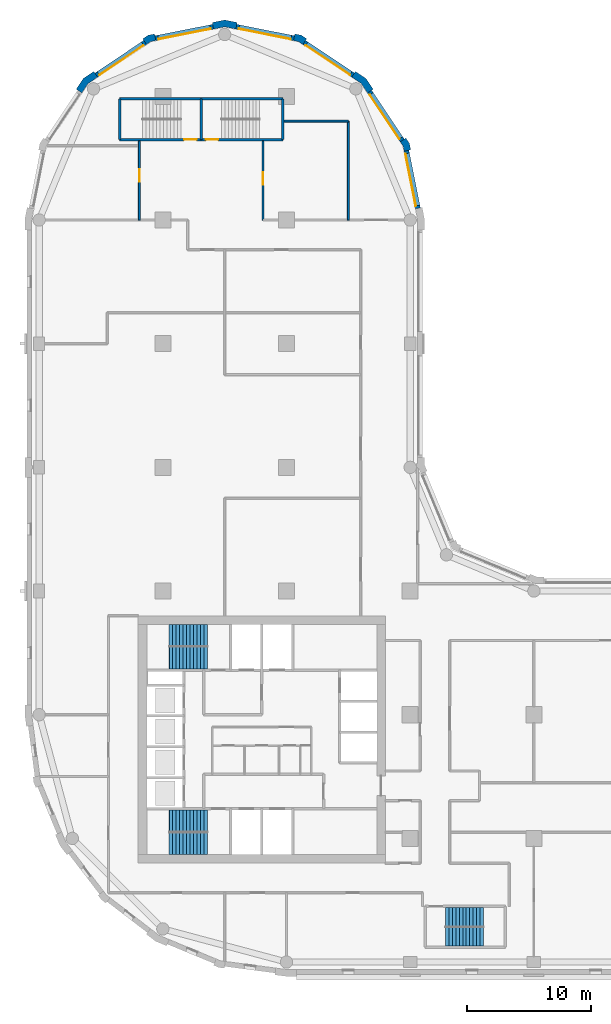
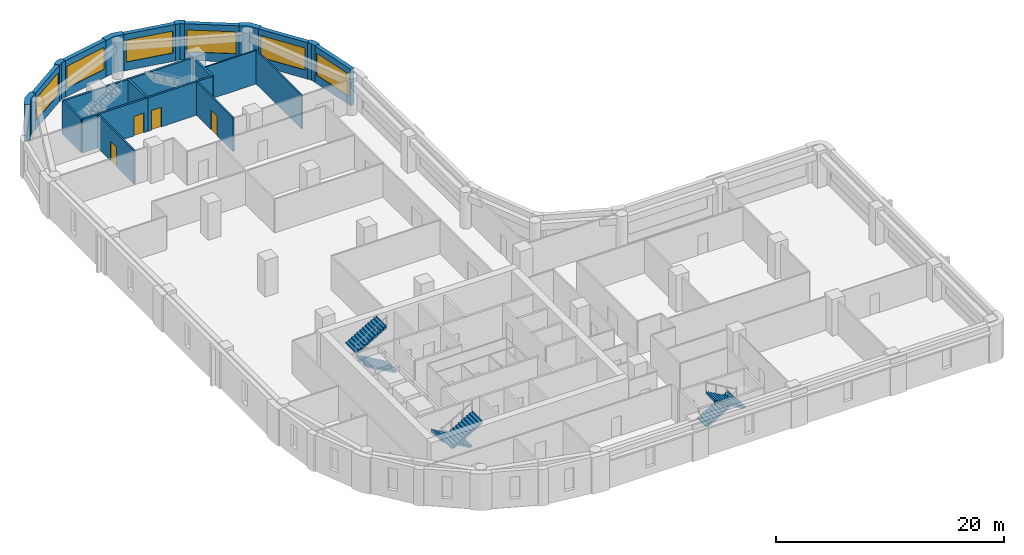
# One storey, part 6 of 9: 23 walls, 6 stair flights, 6 windows, 4 doors, 10 openings, 3 elements without a shape of their own.
"""IFC4 building model written with IfcOpenShell, lengths in metres."""

from ifc_helpers import new_model, si_unit, direction, frame, frame_2d, origin, place, context, subcontext, project, spatial, polyline, rectangle, outline, extrude, material, layer, layer_set, type_object, element, fill, aggregate, save


model = new_model("IFC4")

# Units and contexts
model_context = context("Model", 3, precision=1e-05, world=origin(), true_north=direction((0.0, 1.0)))
body_context = subcontext(model_context, "Body", "Model", "MODEL_VIEW")
ifc_project = project(units=[si_unit("LENGTHUNIT", "METRE"), si_unit("AREAUNIT", "SQUARE_METRE"), si_unit("VOLUMEUNIT", "CUBIC_METRE"), si_unit("PLANEANGLEUNIT", "RADIAN"), si_unit("MASSUNIT", "GRAM", prefix="KILO")], contexts=[model_context])

# Site, building, storey
site_placement = place(None, origin())
site = spatial("IfcSite", under=ifc_project, at=site_placement, CompositionType="ELEMENT")
building_placement = place(site_placement, origin())
building = spatial("IfcBuilding", under=site, at=building_placement, Name="Qaws Garden Tower", CompositionType="ELEMENT")
storey_placement = place(building_placement, frame((0.0, 0.0, 198.0)))
storey = spatial("IfcBuildingStorey", under=building, at=storey_placement, Name="L48", CompositionType="ELEMENT", Elevation=198.0)

# Wall, opening, window
ifc_material_1 = material(Name="Clay facing brick masonry", Category="masonry")
ifc_layer_1 = layer(ifc_material_1, 0.39990234375)
ifc_layer_set_1 = layer_set([ifc_layer_1], Name="Clay facing brick masonry")
wall_type_1 = type_object("IfcWallType", Name="Brick infill wall 400", PredefinedType="SOLIDWALL", material=ifc_layer_set_1)
wall_1_placement = place(storey_placement, frame((30.628662109375, 60.940673828125, 0.0), z_axis=(0.0, 0.0, 1.0), x_axis=(-0.195098533057, 0.98078364709, 0.0)))
wall_1 = element("IfcWall", 1, at=wall_1_placement, inside=storey, type_object=wall_type_1, Name="E-L48-infill-13", PredefinedType="SOLIDWALL", context=body_context, shape_type="SweptSolid", body=[
    extrude(rectangle(XDim=4.752685546875, YDim=0.39990234375, at=frame_2d((2.37646484375, 0.0))), origin(), (0.0, 0.0, 1.0), 3.89990234375),
])
opening_1_placement = place(wall_1_placement, frame((0.226318359375, 0.0, 0.89990234375)))
opening_1 = element("IfcOpeningElement", 2, at=opening_1_placement, cuts=wall_1, Name="Opening W06", PredefinedType="OPENING", context=body_context, shape_type="SweptSolid", body=[
    extrude(rectangle(XDim=4.300048828125, YDim=2.35009765625, at=frame_2d((2.14990234375, 1.175048828125))), frame((0.0, 0.2099609375, 0.0), z_axis=(0.0, -1.0, 0.0), x_axis=(1.0, 0.0, 0.0)), (0.0, 0.0, 1.0), 0.419921875),
])
ifc_material_2 = material(Name="Aluminium framed window, clear glazing", Category="aluminium")
window_type = type_object("IfcWindowType", Name="Ribbon window 4300 x 2350", PartitioningType="DOUBLE_PANEL_VERTICAL", PredefinedType="WINDOW", material=ifc_material_2)
window_1_placement = place(opening_1_placement, origin())
window_1 = element("IfcWindow", 3, at=window_1_placement, inside=storey, type_object=window_type, Name="E-L48-window-13-0", OverallHeight=2.35009765625, OverallWidth=4.300048828125, PartitioningType="SINGLE_PANEL", PredefinedType="WINDOW", context=body_context, shape_type="SweptSolid", body=[
    extrude(rectangle(XDim=4.300048828125, YDim=2.35009765625, at=frame_2d((2.14990234375, 1.175048828125))), frame((0.0, 0.159912109375, 0.0), z_axis=(0.0, -1.0, 0.0), x_axis=(1.0, 0.0, 0.0)), (0.0, 0.0, 1.0), 0.06005859375),
])
fill(opening_1, window_1)

wall_2_placement = place(storey_placement, frame((29.356689453125, 66.43408203125, 0.0), z_axis=(0.0, 0.0, 1.0), x_axis=(-0.555541552266, 0.831488775454, 0.0)))
wall_2 = element("IfcWall", 4, at=wall_2_placement, inside=storey, type_object=wall_type_1, Name="E-L48-infill-14", PredefinedType="SOLIDWALL", context=body_context, shape_type="SweptSolid", body=[
    extrude(rectangle(XDim=4.752685546875, YDim=0.39990234375, at=frame_2d((2.37646484375, 0.0))), origin(), (0.0, 0.0, 1.0), 3.89990234375),
])
opening_2_placement = place(wall_2_placement, frame((0.226318359375, 0.0, 0.89990234375)))
opening_2 = element("IfcOpeningElement", 5, at=opening_2_placement, cuts=wall_2, Name="Opening W06", PredefinedType="OPENING", context=body_context, shape_type="SweptSolid", body=[
    extrude(rectangle(XDim=4.300048828125, YDim=2.35009765625, at=frame_2d((2.14990234375, 1.175048828125))), frame((0.0, 0.2099609375, 0.0), z_axis=(0.0, -1.0, 0.0), x_axis=(1.0, 0.0, 0.0)), (0.0, 0.0, 1.0), 0.419921875),
])
window_2_placement = place(opening_2_placement, origin())
window_2 = element("IfcWindow", 6, at=window_2_placement, inside=storey, type_object=window_type, Name="E-L48-window-14-0", OverallHeight=2.35009765625, OverallWidth=4.300048828125, PartitioningType="SINGLE_PANEL", PredefinedType="WINDOW", context=body_context, shape_type="SweptSolid", body=[
    extrude(rectangle(XDim=4.300048828125, YDim=2.35009765625, at=frame_2d((2.14990234375, 1.175048828125))), frame((0.0, 0.159912109375, 0.0), z_axis=(0.0, -1.0, 0.0), x_axis=(1.0, 0.0, 0.0)), (0.0, 0.0, 1.0), 0.06005859375),
])
fill(opening_2, window_2)

wall_3_placement = place(storey_placement, frame((25.385986328125, 71.71630859375, 0.0), z_axis=(0.0, 0.0, 1.0), x_axis=(-0.831488775454, 0.555541552266, 0.0)))
wall_3 = element("IfcWall", 7, at=wall_3_placement, inside=storey, type_object=wall_type_1, Name="E-L48-infill-15", PredefinedType="SOLIDWALL", context=body_context, shape_type="SweptSolid", body=[
    extrude(rectangle(XDim=4.752685546875, YDim=0.39990234375, at=frame_2d((2.37646484375, 0.0))), origin(), (0.0, 0.0, 1.0), 3.89990234375),
])
opening_3_placement = place(wall_3_placement, frame((0.226318359375, 0.0, 0.89990234375)))
opening_3 = element("IfcOpeningElement", 8, at=opening_3_placement, cuts=wall_3, Name="Opening W06", PredefinedType="OPENING", context=body_context, shape_type="SweptSolid", body=[
    extrude(rectangle(XDim=4.300048828125, YDim=2.35009765625, at=frame_2d((2.14990234375, 1.175048828125))), frame((0.0, 0.2099609375, 0.0), z_axis=(0.0, -1.0, 0.0), x_axis=(1.0, 0.0, 0.0)), (0.0, 0.0, 1.0), 0.419921875),
])
window_3_placement = place(opening_3_placement, origin())
window_3 = element("IfcWindow", 9, at=window_3_placement, inside=storey, type_object=window_type, Name="E-L48-window-15-0", OverallHeight=2.35009765625, OverallWidth=4.300048828125, PartitioningType="SINGLE_PANEL", PredefinedType="WINDOW", context=body_context, shape_type="SweptSolid", body=[
    extrude(rectangle(XDim=4.300048828125, YDim=2.35009765625, at=frame_2d((2.14990234375, 1.175048828125))), frame((0.0, 0.159912109375, 0.0), z_axis=(0.0, -1.0, 0.0), x_axis=(1.0, 0.0, 0.0)), (0.0, 0.0, 1.0), 0.06005859375),
])
fill(opening_3, window_3)

wall_4_placement = place(storey_placement, frame((20.60205078125, 74.701416015625, 0.0), z_axis=(0.0, 0.0, 1.0), x_axis=(-0.98078364709, 0.195098533057, 0.0)))
wall_4 = element("IfcWall", 10, at=wall_4_placement, inside=storey, type_object=wall_type_1, Name="E-L48-infill-16", PredefinedType="SOLIDWALL", context=body_context, shape_type="SweptSolid", body=[
    extrude(rectangle(XDim=4.752685546875, YDim=0.39990234375, at=frame_2d((2.37646484375, 0.0))), origin(), (0.0, 0.0, 1.0), 3.89990234375),
])
opening_4_placement = place(wall_4_placement, frame((0.226318359375, 0.0, 0.89990234375)))
opening_4 = element("IfcOpeningElement", 11, at=opening_4_placement, cuts=wall_4, Name="Opening W06", PredefinedType="OPENING", context=body_context, shape_type="SweptSolid", body=[
    extrude(rectangle(XDim=4.300048828125, YDim=2.35009765625, at=frame_2d((2.14990234375, 1.175048828125))), frame((0.0, 0.2099609375, 0.0), z_axis=(0.0, -1.0, 0.0), x_axis=(1.0, 0.0, 0.0)), (0.0, 0.0, 1.0), 0.419921875),
])
window_4_placement = place(opening_4_placement, origin())
window_4 = element("IfcWindow", 12, at=window_4_placement, inside=storey, type_object=window_type, Name="E-L48-window-16-0", OverallHeight=2.35009765625, OverallWidth=4.300048828125, PartitioningType="SINGLE_PANEL", PredefinedType="WINDOW", context=body_context, shape_type="SweptSolid", body=[
    extrude(rectangle(XDim=4.300048828125, YDim=2.35009765625, at=frame_2d((2.14990234375, 1.175048828125))), frame((0.0, 0.159912109375, 0.0), z_axis=(0.0, -1.0, 0.0), x_axis=(1.0, 0.0, 0.0)), (0.0, 0.0, 1.0), 0.06005859375),
])
fill(opening_4, window_4)

wall_5_placement = place(storey_placement, frame((14.059326171875, 75.628662109375, 0.0), z_axis=(0.0, 0.0, 1.0), x_axis=(-0.98078364709, -0.195098533057, 0.0)))
wall_5 = element("IfcWall", 13, at=wall_5_placement, inside=storey, type_object=wall_type_1, Name="E-L48-infill-17", PredefinedType="SOLIDWALL", context=body_context, shape_type="SweptSolid", body=[
    extrude(rectangle(XDim=4.752685546875, YDim=0.39990234375, at=frame_2d((2.37646484375, 0.0))), origin(), (0.0, 0.0, 1.0), 3.89990234375),
])
opening_5_placement = place(wall_5_placement, frame((0.226318359375, 0.0, 0.89990234375)))
opening_5 = element("IfcOpeningElement", 14, at=opening_5_placement, cuts=wall_5, Name="Opening W06", PredefinedType="OPENING", context=body_context, shape_type="SweptSolid", body=[
    extrude(rectangle(XDim=4.300048828125, YDim=2.35009765625, at=frame_2d((2.14990234375, 1.175048828125))), frame((0.0, 0.2099609375, 0.0), z_axis=(0.0, -1.0, 0.0), x_axis=(1.0, 0.0, 0.0)), (0.0, 0.0, 1.0), 0.419921875),
])
window_5_placement = place(opening_5_placement, origin())
window_5 = element("IfcWindow", 15, at=window_5_placement, inside=storey, type_object=window_type, Name="E-L48-window-17-0", OverallHeight=2.35009765625, OverallWidth=4.300048828125, PartitioningType="SINGLE_PANEL", PredefinedType="WINDOW", context=body_context, shape_type="SweptSolid", body=[
    extrude(rectangle(XDim=4.300048828125, YDim=2.35009765625, at=frame_2d((2.14990234375, 1.175048828125))), frame((0.0, 0.159912109375, 0.0), z_axis=(0.0, -1.0, 0.0), x_axis=(1.0, 0.0, 0.0)), (0.0, 0.0, 1.0), 0.06005859375),
])
fill(opening_5, window_5)

wall_6_placement = place(storey_placement, frame((8.56591796875, 74.356689453125, 0.0), z_axis=(0.0, 0.0, 1.0), x_axis=(-0.831488775454, -0.555541552266, 0.0)))
wall_6 = element("IfcWall", 16, at=wall_6_placement, inside=storey, type_object=wall_type_1, Name="E-L48-infill-18", PredefinedType="SOLIDWALL", context=body_context, shape_type="SweptSolid", body=[
    extrude(rectangle(XDim=4.752685546875, YDim=0.39990234375, at=frame_2d((2.37646484375, 0.0))), origin(), (0.0, 0.0, 1.0), 3.89990234375),
])
opening_6_placement = place(wall_6_placement, frame((0.226318359375, 0.0, 0.89990234375)))
opening_6 = element("IfcOpeningElement", 17, at=opening_6_placement, cuts=wall_6, Name="Opening W06", PredefinedType="OPENING", context=body_context, shape_type="SweptSolid", body=[
    extrude(rectangle(XDim=4.300048828125, YDim=2.35009765625, at=frame_2d((2.14990234375, 1.175048828125))), frame((0.0, 0.2099609375, 0.0), z_axis=(0.0, -1.0, 0.0), x_axis=(1.0, 0.0, 0.0)), (0.0, 0.0, 1.0), 0.419921875),
])
window_6_placement = place(opening_6_placement, origin())
window_6 = element("IfcWindow", 18, at=window_6_placement, inside=storey, type_object=window_type, Name="E-L48-window-18-0", OverallHeight=2.35009765625, OverallWidth=4.300048828125, PartitioningType="SINGLE_PANEL", PredefinedType="WINDOW", context=body_context, shape_type="SweptSolid", body=[
    extrude(rectangle(XDim=4.300048828125, YDim=2.35009765625, at=frame_2d((2.14990234375, 1.175048828125))), frame((0.0, 0.159912109375, 0.0), z_axis=(0.0, -1.0, 0.0), x_axis=(1.0, 0.0, 0.0)), (0.0, 0.0, 1.0), 0.06005859375),
])
fill(opening_6, window_6)

# Walls
ifc_material_3 = material(Name="Clay facing brick masonry", Category="masonry")
ifc_layer_2 = layer(ifc_material_3, 0.550048828125)
ifc_layer_set_2 = layer_set([ifc_layer_2], Name="Clay facing brick masonry")
wall_type_2 = type_object("IfcWallType", Name="Brick kink pier 550 x 600", PredefinedType="SOLIDWALL", material=ifc_layer_set_2)
placement = place(storey_placement, origin())
element("IfcWall", 19, at=placement, inside=storey, type_object=wall_type_2, Name="E-L48-pier-14", PredefinedType="SOLIDWALL", context=body_context, shape_type="SweptSolid", body=[
    extrude(outline(polyline([(29.8974609375, 65.64111328125), (30.044677734375, 65.67041015625), (29.94140625, 66.18896484375), (29.647705078125, 66.628662109375), (29.52294921875, 66.545166015625), (29.1904296875, 66.322998046875), (29.42333984375, 65.974365234375), (29.505126953125, 65.56298828125), (29.8974609375, 65.64111328125)])), origin(), (0.0, 0.0, 1.0), 3.89990234375),
])
element("IfcWall", 20, at=placement, inside=storey, type_object=wall_type_2, Name="E-L48-pier-16", PredefinedType="SOLIDWALL", context=body_context, shape_type="SweptSolid", body=[
    extrude(outline(polyline([(21.545166015625, 74.52294921875), (21.628662109375, 74.647705078125), (21.18896484375, 74.94140625), (20.67041015625, 75.044677734375), (20.64111328125, 74.8974609375), (20.56298828125, 74.505126953125), (20.974365234375, 74.42333984375), (21.322998046875, 74.1904296875), (21.545166015625, 74.52294921875)])), origin(), (0.0, 0.0, 1.0), 3.89990234375),
])
element("IfcWall", 21, at=placement, inside=storey, type_object=wall_type_2, Name="E-L48-pier-18", PredefinedType="SOLIDWALL", context=body_context, shape_type="SweptSolid", body=[
    extrude(outline(polyline([(9.35888671875, 74.8974609375), (9.32958984375, 75.044677734375), (8.81103515625, 74.94140625), (8.371337890625, 74.647705078125), (8.454833984375, 74.52294921875), (8.677001953125, 74.1904296875), (9.025634765625, 74.42333984375), (9.43701171875, 74.505126953125), (9.35888671875, 74.8974609375)])), origin(), (0.0, 0.0, 1.0), 3.89990234375),
])
ifc_material_4 = material(Name="Clay facing brick masonry", Category="masonry")
ifc_layer_3 = layer(ifc_material_4, 0.550048828125)
ifc_layer_set_3 = layer_set([ifc_layer_3], Name="Clay facing brick masonry")
wall_type_3 = type_object("IfcWallType", Name="Brick pier 550 x 1600", PredefinedType="SOLIDWALL", material=ifc_layer_set_3)
element("IfcWall", 22, at=placement, inside=storey, type_object=wall_type_3, Name="E-L48-pier-15", PredefinedType="SOLIDWALL", context=body_context, shape_type="SweptSolid", body=[
    extrude(outline(polyline([(26.882568359375, 70.4970703125), (27.00732421875, 70.580322265625), (26.435791015625, 71.435791015625), (25.580322265625, 72.00732421875), (25.4970703125, 71.882568359375), (25.274658203125, 71.550048828125), (26.0390625, 71.0390625), (26.550048828125, 70.274658203125), (26.882568359375, 70.4970703125)])), origin(), (0.0, 0.0, 1.0), 3.89990234375),
])
element("IfcWall", 23, at=placement, inside=storey, type_object=wall_type_3, Name="E-L48-pier-17", PredefinedType="SOLIDWALL", context=body_context, shape_type="SweptSolid", body=[
    extrude(outline(polyline([(15.979736328125, 75.82470703125), (16.009033203125, 75.971923828125), (15.0, 76.172607421875), (13.990966796875, 75.971923828125), (14.020263671875, 75.82470703125), (14.098388671875, 75.432373046875), (15.0, 75.61181640625), (15.901611328125, 75.432373046875), (15.979736328125, 75.82470703125)])), origin(), (0.0, 0.0, 1.0), 3.89990234375),
])
element("IfcWall", 24, at=placement, inside=storey, type_object=wall_type_3, Name="E-L48-pier-19", PredefinedType="SOLIDWALL", context=body_context, shape_type="SweptSolid", body=[
    extrude(outline(polyline([(4.5029296875, 71.882568359375), (4.419677734375, 72.00732421875), (3.564208984375, 71.435791015625), (2.99267578125, 70.580322265625), (3.117431640625, 70.4970703125), (3.449951171875, 70.274658203125), (3.9609375, 71.0390625), (4.725341796875, 71.550048828125), (4.5029296875, 71.882568359375)])), origin(), (0.0, 0.0, 1.0), 3.89990234375),
])

# Wall, opening, door
ifc_material_5 = material(Name="Concrete C70", Category="concrete")
ifc_layer_4 = layer(ifc_material_5, 0.199951171875)
ifc_layer_set_4 = layer_set([ifc_layer_4], Name="Concrete C70")
wall_type_4 = type_object("IfcWallType", Name="Core shaft wall 200 C70", PredefinedType="SHEAR", material=ifc_layer_set_4)
wall_13_placement = place(storey_placement, frame((6.5, 66.5, 0.0), z_axis=(0.0, 0.0, 1.0), x_axis=(1.0, 0.0, 0.0)))
wall_13 = element("IfcWall", 25, at=wall_13_placement, inside=storey, type_object=wall_type_4, Name="Shaft wall", PredefinedType="SHEAR", context=body_context, shape_type="SweptSolid", body=[
    extrude(rectangle(XDim=6.60009765625, YDim=0.199951171875, at=frame_2d((3.300048828125, 0.0))), origin(), (0.0, 0.0, 1.0), 3.580078125),
])
opening_7_placement = place(wall_13_placement, frame((5.22509765625, 0.0, 0.0)))
opening_7 = element("IfcOpeningElement", 26, at=opening_7_placement, cuts=wall_13, Name="Opening SD13", PredefinedType="OPENING", context=body_context, shape_type="SweptSolid", body=[
    extrude(rectangle(XDim=1.0, YDim=2.10009765625, at=frame_2d((0.5, 1.050048828125))), frame((0.0, 0.10986328125, 0.0), z_axis=(0.0, -1.0, 0.0), x_axis=(1.0, 0.0, 0.0)), (0.0, 0.0, 1.0), 0.219970703125),
])
ifc_material_6 = material(Name="Steel S235", Category="steel")
door_type_1 = type_object("IfcDoorType", Name="Stair door 1000x2100", OperationType="SINGLE_SWING_RIGHT", PredefinedType="DOOR", material=ifc_material_6)
door_1_placement = place(opening_7_placement, origin())
door_1 = element("IfcDoor", 27, at=door_1_placement, inside=storey, type_object=door_type_1, Name="Stair 6 door", OperationType="SINGLE_SWING_RIGHT", OverallHeight=2.10009765625, OverallWidth=1.0, PredefinedType="DOOR", context=body_context, shape_type="SweptSolid", body=[
    extrude(rectangle(XDim=1.0, YDim=2.10009765625, at=frame_2d((0.5, 1.050048828125))), frame((0.0, 0.02490234375, 0.0), z_axis=(0.0, -1.0, 0.0), x_axis=(1.0, 0.0, 0.0)), (0.0, 0.0, 1.0), 0.050048828125),
])
fill(opening_7, door_1)

wall_14_placement = place(storey_placement, frame((13.10009765625, 66.5, 0.0), z_axis=(0.0, 0.0, 1.0), x_axis=(1.0, 0.0, 0.0)))
wall_14 = element("IfcWall", 28, at=wall_14_placement, inside=storey, type_object=wall_type_4, Name="Shaft wall", PredefinedType="SHEAR", context=body_context, shape_type="SweptSolid", body=[
    extrude(rectangle(XDim=6.599853515625, YDim=0.199951171875, at=frame_2d((3.2998046875, 0.0))), origin(), (0.0, 0.0, 1.0), 3.580078125),
])
opening_8_placement = place(wall_14_placement, frame((0.375, 0.0, 0.0)))
opening_8 = element("IfcOpeningElement", 29, at=opening_8_placement, cuts=wall_14, Name="Opening SD14", PredefinedType="OPENING", context=body_context, shape_type="SweptSolid", body=[
    extrude(rectangle(XDim=1.0, YDim=2.10009765625, at=frame_2d((0.5, 1.050048828125))), frame((0.0, 0.10986328125, 0.0), z_axis=(0.0, -1.0, 0.0), x_axis=(1.0, 0.0, 0.0)), (0.0, 0.0, 1.0), 0.219970703125),
])
door_2_placement = place(opening_8_placement, origin())
door_2 = element("IfcDoor", 30, at=door_2_placement, inside=storey, type_object=door_type_1, Name="Stair 7 door", OperationType="SINGLE_SWING_LEFT", OverallHeight=2.10009765625, OverallWidth=1.0, PredefinedType="DOOR", context=body_context, shape_type="SweptSolid", body=[
    extrude(rectangle(XDim=1.0, YDim=2.10009765625, at=frame_2d((0.5, 1.050048828125))), frame((0.0, 0.02490234375, 0.0), z_axis=(0.0, -1.0, 0.0), x_axis=(1.0, 0.0, 0.0)), (0.0, 0.0, 1.0), 0.050048828125),
])
fill(opening_8, door_2)

# Walls
wall_15_placement = place(storey_placement, frame((6.5, 69.800048828125, 0.0), z_axis=(0.0, 0.0, 1.0), x_axis=(1.0, 0.0, 0.0)))
element("IfcWall", 31, at=wall_15_placement, inside=storey, type_object=wall_type_4, Name="Shaft wall", PredefinedType="SHEAR", context=body_context, shape_type="SweptSolid", body=[
    extrude(rectangle(XDim=6.60009765625, YDim=0.199951171875, at=frame_2d((3.300048828125, 0.0))), origin(), (0.0, 0.0, 1.0), 3.580078125),
])
wall_16_placement = place(storey_placement, frame((13.10009765625, 69.800048828125, 0.0), z_axis=(0.0, 0.0, 1.0), x_axis=(1.0, 0.0, 0.0)))
element("IfcWall", 32, at=wall_16_placement, inside=storey, type_object=wall_type_4, Name="Shaft wall", PredefinedType="SHEAR", context=body_context, shape_type="SweptSolid", body=[
    extrude(rectangle(XDim=6.599853515625, YDim=0.199951171875, at=frame_2d((3.2998046875, 0.0))), origin(), (0.0, 0.0, 1.0), 3.580078125),
])
for number, where, z_axis, x_axis, name in (
    (33, (6.5, 66.5, 0.0), (0.0, 0.0, 1.0), (0.0, 1.0, 0.0), "Shaft wall"),
    (34, (13.10009765625, 66.5, 0.0), (0.0, 0.0, 1.0), (0.0, 1.0, 0.0), "Shaft wall"),
    (35, (19.699951171875, 66.5, 0.0), (0.0, 0.0, 1.0), (0.0, 1.0, 0.0), "Shaft wall"),
):
    element("IfcWall", number, at=place(storey_placement, frame(where, z_axis=z_axis, x_axis=x_axis)), inside=storey, type_object=wall_type_4, Name=name, PredefinedType="SHEAR", context=body_context, shape_type="SweptSolid", body=[
        extrude(rectangle(XDim=3.300048828125, YDim=0.199951171875, at=frame_2d((1.64990234375, 0.0))), origin(), (0.0, 0.0, 1.0), 3.580078125),
    ])

# Wall, opening, door
ifc_material_7 = material(Name="Gypsum board partition")
ifc_layer_5 = layer(ifc_material_7, 0.14990234375)
ifc_layer_set_5 = layer_set([ifc_layer_5], Name="Gypsum board partition")
wall_type_5 = type_object("IfcWallType", Name="PARTITION 150 EI 60", PredefinedType="PARTITIONING", material=ifc_layer_set_5)
wall_17_placement = place(storey_placement, frame((8.10009765625, 60.0, 0.0), z_axis=(0.0, 0.0, 1.0), x_axis=(0.0, 1.0, 0.0)))
wall_17 = element("IfcWall", 36, at=wall_17_placement, inside=storey, type_object=wall_type_5, Name="O-L48-wall-005", PredefinedType="PARTITIONING", context=body_context, shape_type="SweptSolid", body=[
    extrude(rectangle(XDim=6.39990234375, YDim=0.14990234375, at=frame_2d((3.199951171875, 0.0))), origin(), (0.0, 0.0, 1.0), 3.580078125),
])
opening_9_placement = place(wall_17_placement, frame((3.10009765625, 0.0, 0.0)))
opening_9 = element("IfcOpeningElement", 37, at=opening_9_placement, cuts=wall_17, Name="Opening B609", PredefinedType="OPENING", context=body_context, shape_type="SweptSolid", body=[
    extrude(rectangle(XDim=1.0, YDim=2.10009765625, at=frame_2d((0.5, 1.050048828125))), frame((0.0, 0.0849609375, 0.0), z_axis=(0.0, -1.0, 0.0), x_axis=(1.0, 0.0, 0.0)), (0.0, 0.0, 1.0), 0.169921875),
])
ifc_material_8 = material(Name="Timber door leaf", Category="wood")
door_type_2 = type_object("IfcDoorType", Name="TENANCY ENTRANCE DOOR 1000 X 2100", OperationType="SINGLE_SWING_LEFT", PredefinedType="DOOR", material=ifc_material_8)
door_3_placement = place(opening_9_placement, origin())
door_3 = element("IfcDoor", 38, at=door_3_placement, inside=storey, type_object=door_type_2, Name="O-L48-door-009", OperationType="SINGLE_SWING_LEFT", OverallHeight=2.10009765625, OverallWidth=1.0, PredefinedType="DOOR", context=body_context, shape_type="SweptSolid", body=[
    extrude(rectangle(XDim=1.0, YDim=2.10009765625, at=frame_2d((0.5, 1.050048828125))), frame((0.0, 0.02490234375, 0.0), z_axis=(0.0, -1.0, 0.0), x_axis=(1.0, 0.0, 0.0)), (0.0, 0.0, 1.0), 0.050048828125),
])
fill(opening_9, door_3)

wall_18_placement = place(storey_placement, frame((18.10009765625, 60.0, 0.0), z_axis=(0.0, 0.0, 1.0), x_axis=(0.0, 1.0, 0.0)))
wall_18 = element("IfcWall", 39, at=wall_18_placement, inside=storey, type_object=wall_type_5, Name="O-L48-wall-010", PredefinedType="PARTITIONING", context=body_context, shape_type="SweptSolid", body=[
    extrude(rectangle(XDim=6.39990234375, YDim=0.14990234375, at=frame_2d((3.199951171875, 0.0))), origin(), (0.0, 0.0, 1.0), 3.580078125),
])
opening_10_placement = place(wall_18_placement, frame((2.85009765625, 0.0, 0.0)))
opening_10 = element("IfcOpeningElement", 40, at=opening_10_placement, cuts=wall_18, Name="Opening B610", PredefinedType="OPENING", context=body_context, shape_type="SweptSolid", body=[
    extrude(rectangle(XDim=1.0, YDim=2.10009765625, at=frame_2d((0.5, 1.050048828125))), frame((0.0, 0.0849609375, 0.0), z_axis=(0.0, -1.0, 0.0), x_axis=(1.0, 0.0, 0.0)), (0.0, 0.0, 1.0), 0.169921875),
])
door_4_placement = place(opening_10_placement, frame((1.0, 0.0, 0.0), z_axis=(0.0, 0.0, 1.0), x_axis=(-1.0, 0.0, 0.0)))
door_4 = element("IfcDoor", 41, at=door_4_placement, inside=storey, type_object=door_type_2, Name="O-L48-door-010", OperationType="SINGLE_SWING_RIGHT", OverallHeight=2.10009765625, OverallWidth=1.0, PredefinedType="DOOR", context=body_context, shape_type="SweptSolid", body=[
    extrude(rectangle(XDim=1.0, YDim=2.10009765625, at=frame_2d((0.5, 1.050048828125))), frame((0.0, 0.02490234375, 0.0), z_axis=(0.0, -1.0, 0.0), x_axis=(1.0, 0.0, 0.0)), (0.0, 0.0, 1.0), 0.050048828125),
])
fill(opening_10, door_4)

# Walls
wall_19_placement = place(storey_placement, frame((25.0, 60.0, 0.0), z_axis=(0.0, 0.0, 1.0), x_axis=(0.0, 1.0, 0.0)))
element("IfcWall", 42, at=wall_19_placement, inside=storey, type_object=wall_type_5, Name="O-L48-wall-012", PredefinedType="PARTITIONING", context=body_context, shape_type="SweptSolid", body=[
    extrude(rectangle(XDim=8.0, YDim=0.14990234375, at=frame_2d((4.0, 0.0))), origin(), (0.0, 0.0, 1.0), 3.580078125),
])
wall_20_placement = place(storey_placement, frame((19.800048828125, 68.0, 0.0), z_axis=(0.0, 0.0, 1.0), x_axis=(1.0, 0.0, 0.0)))
element("IfcWall", 43, at=wall_20_placement, inside=storey, type_object=wall_type_5, Name="O-L48-wall-054", PredefinedType="PARTITIONING", context=body_context, shape_type="SweptSolid", body=[
    extrude(rectangle(XDim=5.199951171875, YDim=0.14990234375, at=frame_2d((2.60009765625, 0.0))), origin(), (0.0, 0.0, 1.0), 3.580078125),
])

# Stair, stair flights
ifc_material_9 = material(Name="Concrete C40", Category="concrete")
stair_type_1 = type_object("IfcStairType", Name="Exit stair 1350", PredefinedType="HALF_TURN_STAIR", material=ifc_material_9)
stair_1 = element("IfcStair", 44, at=placement, inside=storey, type_object=stair_type_1, Name="Stair 5", PredefinedType="HALF_TURN_STAIR")
ifc_material_10 = material(Name="Concrete C40", Category="concrete")
stair_flight_type_1 = type_object("IfcStairFlightType", Name="Stair flight 1350", PredefinedType="STRAIGHT", material=ifc_material_10)
stair_flight_1_placement = place(storey_placement, frame((32.85009765625, 3.625, 0.0), z_axis=(0.0, 0.0, 1.0), x_axis=(1.0, 0.0, 0.0)))
stair_flight_1 = element("IfcStairFlight", 45, at=stair_flight_1_placement, type_object=stair_flight_type_1, Name="ST5 flight 1", NumberOfRisers=12, NumberOfTreads=11, PredefinedType="STRAIGHT", RiserHeight=0.1625, TreadLength=0.28, context=body_context, shape_type="SweptSolid", body=[
    extrude(outline(polyline([(-0.0029296875, 0.0), (-0.0029296875, 0.16259765625), (0.0, 0.16259765625), (0.280029296875, 0.16259765625), (0.280029296875, 0.324951171875), (0.56005859375, 0.324951171875), (0.56005859375, 0.487548828125), (0.840087890625, 0.487548828125), (0.840087890625, 0.64990234375), (1.1201171875, 0.64990234375), (1.1201171875, 0.8125), (1.39990234375, 0.8125), (1.39990234375, 0.97509765625), (1.679931640625, 0.97509765625), (1.679931640625, 1.137451171875), (1.9599609375, 1.137451171875), (1.9599609375, 1.300048828125), (2.239990234375, 1.300048828125), (2.239990234375, 1.46240234375), (2.52001953125, 1.46240234375), (2.52001953125, 1.625), (2.800048828125, 1.625), (2.800048828125, 1.78759765625), (3.080078125, 1.78759765625), (3.080078125, 1.949951171875), (3.0830078125, 1.949951171875), (3.0830078125, 1.6142578125), (3.080078125, 1.6142578125), (0.298583984375, 0.0), (-0.0029296875, 0.0)])), frame((0.0, 0.77490234375, 0.0), z_axis=(0.0, -1.0, 0.0), x_axis=(1.0, 0.0, 0.0)), (0.0, 0.0, 1.0), 1.550048828125),
])
stair_flight_2_placement = place(storey_placement, frame((35.929931640625, 2.074951171875, 1.949951171875), z_axis=(0.0, 0.0, 1.0), x_axis=(-1.0, 0.0, 0.0)))
stair_flight_2 = element("IfcStairFlight", 46, at=stair_flight_2_placement, type_object=stair_flight_type_1, Name="ST5 flight 2", NumberOfRisers=12, NumberOfTreads=11, PredefinedType="STRAIGHT", RiserHeight=0.1625, TreadLength=0.28, context=body_context, shape_type="SweptSolid", body=[
    extrude(outline(polyline([(-0.0029296875, 0.0), (-0.0029296875, 0.16259765625), (0.0, 0.16259765625), (0.280029296875, 0.16259765625), (0.280029296875, 0.324951171875), (0.56005859375, 0.324951171875), (0.56005859375, 0.487548828125), (0.840087890625, 0.487548828125), (0.840087890625, 0.64990234375), (1.1201171875, 0.64990234375), (1.1201171875, 0.8125), (1.39990234375, 0.8125), (1.39990234375, 0.97509765625), (1.679931640625, 0.97509765625), (1.679931640625, 1.137451171875), (1.9599609375, 1.137451171875), (1.9599609375, 1.300048828125), (2.239990234375, 1.300048828125), (2.239990234375, 1.46240234375), (2.52001953125, 1.46240234375), (2.52001953125, 1.625), (2.800048828125, 1.625), (2.800048828125, 1.78759765625), (3.080078125, 1.78759765625), (3.080078125, 1.949951171875), (3.0830078125, 1.949951171875), (3.0830078125, 1.6142578125), (3.080078125, 1.6142578125), (0.298583984375, 0.0), (-0.0029296875, 0.0)])), frame((0.0, 0.77490234375, 0.0), z_axis=(0.0, -1.0, 0.0), x_axis=(1.0, 0.0, 0.0)), (0.0, 0.0, 1.0), 1.550048828125),
])
aggregate(stair_1, [stair_flight_1, stair_flight_2])

ifc_material_11 = material(Name="Concrete C40", Category="concrete")
stair_type_2 = type_object("IfcStairType", Name="Exit stair 1500", PredefinedType="HALF_TURN_STAIR", material=ifc_material_11)
stair_2 = element("IfcStair", 47, at=placement, inside=storey, type_object=stair_type_2, Name="Stair 1", PredefinedType="HALF_TURN_STAIR")
ifc_material_12 = material(Name="Concrete C40", Category="concrete")
stair_flight_type_2 = type_object("IfcStairFlightType", Name="Stair flight 1500", PredefinedType="STRAIGHT", material=ifc_material_12)
stair_flight_3_placement = place(storey_placement, frame((13.60009765625, 11.39990234375, 0.0), z_axis=(0.0, 0.0, 1.0), x_axis=(-1.0, 0.0, 0.0)))
stair_flight_3 = element("IfcStairFlight", 48, at=stair_flight_3_placement, type_object=stair_flight_type_2, Name="ST1 flight 1", NumberOfRisers=12, NumberOfTreads=11, PredefinedType="STRAIGHT", RiserHeight=0.1625, TreadLength=0.28, context=body_context, shape_type="SweptSolid", body=[
    extrude(outline(polyline([(-0.0029296875, 0.0), (-0.0029296875, 0.16259765625), (0.0, 0.16259765625), (0.280029296875, 0.16259765625), (0.280029296875, 0.324951171875), (0.56005859375, 0.324951171875), (0.56005859375, 0.487548828125), (0.840087890625, 0.487548828125), (0.840087890625, 0.64990234375), (1.1201171875, 0.64990234375), (1.1201171875, 0.8125), (1.39990234375, 0.8125), (1.39990234375, 0.97509765625), (1.679931640625, 0.97509765625), (1.679931640625, 1.137451171875), (1.9599609375, 1.137451171875), (1.9599609375, 1.300048828125), (2.239990234375, 1.300048828125), (2.239990234375, 1.46240234375), (2.52001953125, 1.46240234375), (2.52001953125, 1.625), (2.800048828125, 1.625), (2.800048828125, 1.78759765625), (3.080078125, 1.78759765625), (3.080078125, 1.949951171875), (3.0830078125, 1.949951171875), (3.0830078125, 1.6142578125), (3.080078125, 1.6142578125), (0.298583984375, 0.0), (-0.0029296875, 0.0)])), frame((0.0, 0.89990234375, 0.0), z_axis=(0.0, -1.0, 0.0), x_axis=(1.0, 0.0, 0.0)), (0.0, 0.0, 1.0), 1.800048828125),
])
stair_flight_4_placement = place(storey_placement, frame((10.52001953125, 9.60009765625, 1.949951171875), z_axis=(0.0, 0.0, 1.0), x_axis=(1.0, 0.0, 0.0)))
stair_flight_4 = element("IfcStairFlight", 49, at=stair_flight_4_placement, type_object=stair_flight_type_2, Name="ST1 flight 2", NumberOfRisers=12, NumberOfTreads=11, PredefinedType="STRAIGHT", RiserHeight=0.1625, TreadLength=0.28, context=body_context, shape_type="SweptSolid", body=[
    extrude(outline(polyline([(-0.0029296875, 0.0), (-0.0029296875, 0.16259765625), (0.0, 0.16259765625), (0.280029296875, 0.16259765625), (0.280029296875, 0.324951171875), (0.56005859375, 0.324951171875), (0.56005859375, 0.487548828125), (0.840087890625, 0.487548828125), (0.840087890625, 0.64990234375), (1.1201171875, 0.64990234375), (1.1201171875, 0.8125), (1.39990234375, 0.8125), (1.39990234375, 0.97509765625), (1.679931640625, 0.97509765625), (1.679931640625, 1.137451171875), (1.9599609375, 1.137451171875), (1.9599609375, 1.300048828125), (2.239990234375, 1.300048828125), (2.239990234375, 1.46240234375), (2.52001953125, 1.46240234375), (2.52001953125, 1.625), (2.800048828125, 1.625), (2.800048828125, 1.78759765625), (3.080078125, 1.78759765625), (3.080078125, 1.949951171875), (3.0830078125, 1.949951171875), (3.0830078125, 1.6142578125), (3.080078125, 1.6142578125), (0.298583984375, 0.0), (-0.0029296875, 0.0)])), frame((0.0, 0.89990234375, 0.0), z_axis=(0.0, -1.0, 0.0), x_axis=(1.0, 0.0, 0.0)), (0.0, 0.0, 1.0), 1.800048828125),
])
aggregate(stair_2, [stair_flight_3, stair_flight_4])

stair_3 = element("IfcStair", 50, at=placement, inside=storey, type_object=stair_type_2, Name="Stair 4", PredefinedType="HALF_TURN_STAIR")
stair_flight_5_placement = place(storey_placement, frame((13.60009765625, 24.60009765625, 0.0), z_axis=(0.0, 0.0, 1.0), x_axis=(-1.0, 0.0, 0.0)))
stair_flight_5 = element("IfcStairFlight", 51, at=stair_flight_5_placement, type_object=stair_flight_type_2, Name="ST4 flight 1", NumberOfRisers=12, NumberOfTreads=11, PredefinedType="STRAIGHT", RiserHeight=0.1625, TreadLength=0.28, context=body_context, shape_type="SweptSolid", body=[
    extrude(outline(polyline([(-0.0029296875, 0.0), (-0.0029296875, 0.16259765625), (0.0, 0.16259765625), (0.280029296875, 0.16259765625), (0.280029296875, 0.324951171875), (0.56005859375, 0.324951171875), (0.56005859375, 0.487548828125), (0.840087890625, 0.487548828125), (0.840087890625, 0.64990234375), (1.1201171875, 0.64990234375), (1.1201171875, 0.8125), (1.39990234375, 0.8125), (1.39990234375, 0.97509765625), (1.679931640625, 0.97509765625), (1.679931640625, 1.137451171875), (1.9599609375, 1.137451171875), (1.9599609375, 1.300048828125), (2.239990234375, 1.300048828125), (2.239990234375, 1.46240234375), (2.52001953125, 1.46240234375), (2.52001953125, 1.625), (2.800048828125, 1.625), (2.800048828125, 1.78759765625), (3.080078125, 1.78759765625), (3.080078125, 1.949951171875), (3.0830078125, 1.949951171875), (3.0830078125, 1.6142578125), (3.080078125, 1.6142578125), (0.298583984375, 0.0), (-0.0029296875, 0.0)])), frame((0.0, 0.89501953125, 0.0), z_axis=(0.0, -1.0, 0.0), x_axis=(1.0, 0.0, 0.0)), (0.0, 0.0, 1.0), 1.7900390625),
])
stair_flight_6_placement = place(storey_placement, frame((10.52001953125, 26.39990234375, 1.949951171875), z_axis=(0.0, 0.0, 1.0), x_axis=(1.0, 0.0, 0.0)))
stair_flight_6 = element("IfcStairFlight", 52, at=stair_flight_6_placement, type_object=stair_flight_type_2, Name="ST4 flight 2", NumberOfRisers=12, NumberOfTreads=11, PredefinedType="STRAIGHT", RiserHeight=0.1625, TreadLength=0.28, context=body_context, shape_type="SweptSolid", body=[
    extrude(outline(polyline([(-0.0029296875, 0.0), (-0.0029296875, 0.16259765625), (0.0, 0.16259765625), (0.280029296875, 0.16259765625), (0.280029296875, 0.324951171875), (0.56005859375, 0.324951171875), (0.56005859375, 0.487548828125), (0.840087890625, 0.487548828125), (0.840087890625, 0.64990234375), (1.1201171875, 0.64990234375), (1.1201171875, 0.8125), (1.39990234375, 0.8125), (1.39990234375, 0.97509765625), (1.679931640625, 0.97509765625), (1.679931640625, 1.137451171875), (1.9599609375, 1.137451171875), (1.9599609375, 1.300048828125), (2.239990234375, 1.300048828125), (2.239990234375, 1.46240234375), (2.52001953125, 1.46240234375), (2.52001953125, 1.625), (2.800048828125, 1.625), (2.800048828125, 1.78759765625), (3.080078125, 1.78759765625), (3.080078125, 1.949951171875), (3.0830078125, 1.949951171875), (3.0830078125, 1.6142578125), (3.080078125, 1.6142578125), (0.298583984375, 0.0), (-0.0029296875, 0.0)])), frame((0.0, 0.89501953125, 0.0), z_axis=(0.0, -1.0, 0.0), x_axis=(1.0, 0.0, 0.0)), (0.0, 0.0, 1.0), 1.7900390625),
])
aggregate(stair_3, [stair_flight_5, stair_flight_6])

save(model, "model.ifc")
